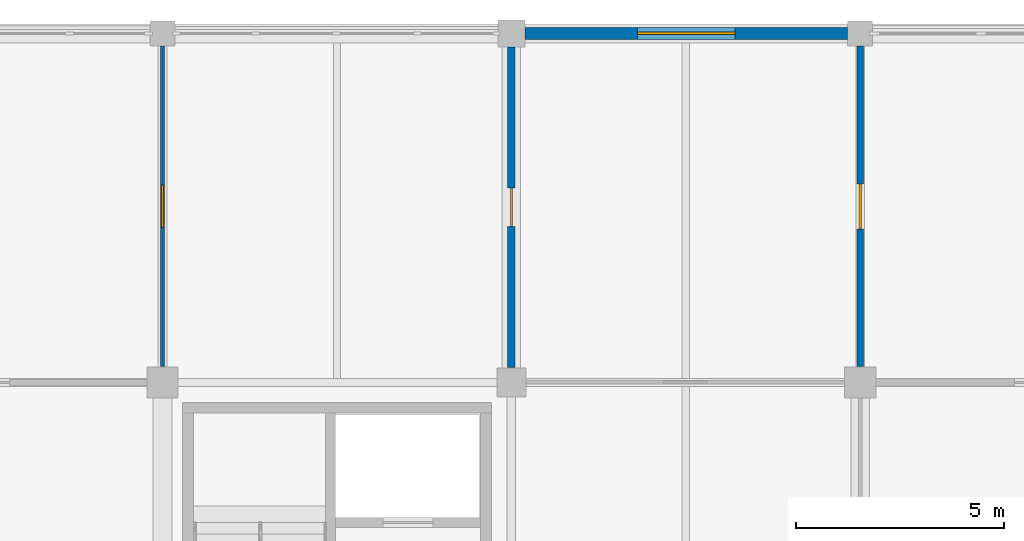
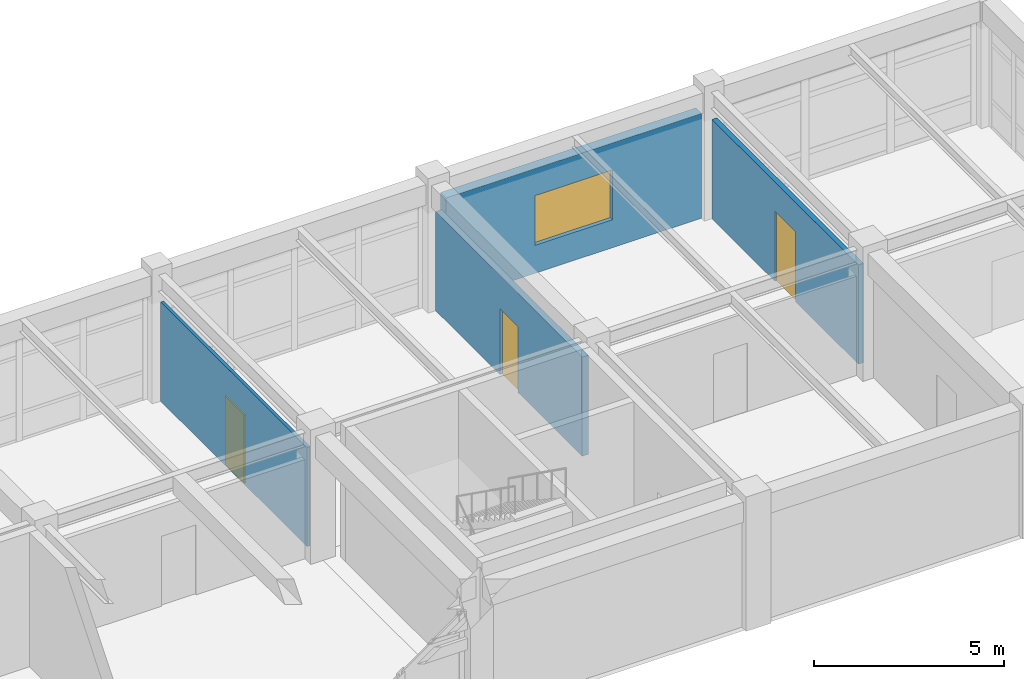
# One storey, part 36 of 40: 4 walls, 3 doors, 1 window, 4 openings.
"""IFC4 building model written with IfcOpenShell, lengths in metres."""

from ifc_helpers import new_model, si_unit, direction, frame, frame_2d, origin, place, context, subcontext, project, spatial, rectangle, extrude, material, layer, layer_set, type_object, element, fill, save


model = new_model("IFC4")

# Units and contexts
model_context = context("Model", 3, precision=1e-05, world=origin(), true_north=direction((0.0, 1.0)))
body_context = subcontext(model_context, "Body", "Model", "MODEL_VIEW")
ifc_project = project(units=[si_unit("LENGTHUNIT", "METRE"), si_unit("AREAUNIT", "SQUARE_METRE"), si_unit("VOLUMEUNIT", "CUBIC_METRE"), si_unit("PLANEANGLEUNIT", "RADIAN"), si_unit("MASSUNIT", "GRAM", prefix="KILO")], contexts=[model_context])

# Site, building, storey
site_placement = place(None, origin())
site = spatial("IfcSite", under=ifc_project, at=site_placement, CompositionType="ELEMENT")
building_placement = place(site_placement, origin())
building = spatial("IfcBuilding", under=site, at=building_placement, Name="Porcellanite Civic Hall", CompositionType="ELEMENT")
storey_placement = place(building_placement, frame((0.0, 0.0, 19.080078125)))
storey = spatial("IfcBuildingStorey", under=building, at=storey_placement, Name="L04", CompositionType="ELEMENT", Elevation=19.080078125)

# Wall, opening, window
ifc_material_1 = material(Name="Precast concrete N40 (40 MPa)", Category="concrete")
ifc_layer_1 = layer(ifc_material_1, 0.300048828125)
ifc_layer_set_1 = layer_set([ifc_layer_1], Name="Precast concrete N40 (40 MPa)")
wall_type_1 = type_object("IfcWallType", Name="EW-ADM300", PredefinedType="SOLIDWALL", material=ifc_layer_set_1)
wall_1_placement = place(storey_placement, frame((117.926025390625, 117.60009765625, 0.0), z_axis=(0.0, 0.0, 1.0), x_axis=(1.0, 0.0, 0.0)))
wall_1 = element("IfcWall", 1, at=wall_1_placement, inside=storey, type_object=wall_type_1, Name="Exterior wall L04 N 15-14", PredefinedType="SOLIDWALL", context=body_context, shape_type="SweptSolid", body=[
    extrude(rectangle(XDim=7.77294921875, YDim=0.300048828125, at=frame_2d((3.886474609375, 0.0))), origin(), (0.0, 0.0, 1.0), 3.369873046875),
])
opening_1_placement = place(wall_1_placement, frame((2.7119140625, 0.0, 0.89990234375)))
opening_1 = element("IfcOpeningElement", 2, at=opening_1_placement, cuts=wall_1, Name="Opening W36", PredefinedType="OPENING", context=body_context, shape_type="SweptSolid", body=[
    extrude(rectangle(XDim=2.35009765625, YDim=1.60009765625, at=frame_2d((1.175048828125, 0.800048828125))), frame((0.0, 0.14990234375, 0.0), z_axis=(0.0, -1.0, 0.0), x_axis=(1.0, 0.0, 0.0)), (0.0, 0.0, 1.0), 0.300048828125),
])
ifc_material_2 = material(Name="Cyclone laminated low-E glazing in anodised aluminium frame", Category="aluminium")
window_type = type_object("IfcWindowType", Name="WN-36", PartitioningType="DOUBLE_PANEL_VERTICAL", PredefinedType="WINDOW", material=ifc_material_2)
window_placement = place(opening_1_placement, origin())
window = element("IfcWindow", 3, at=window_placement, inside=storey, type_object=window_type, Name="Window W36 L04 N 15-14", OverallHeight=1.60009765625, OverallWidth=2.35009765625, PartitioningType="SINGLE_PANEL", PredefinedType="WINDOW", context=body_context, shape_type="SweptSolid", body=[
    extrude(rectangle(XDim=2.35009765625, YDim=1.60009765625, at=frame_2d((1.175048828125, 0.800048828125))), frame((0.0, 0.030029296875, 0.0), z_axis=(0.0, -1.0, 0.0), x_axis=(1.0, 0.0, 0.0)), (0.0, 0.0, 1.0), 0.06005859375),
])
fill(opening_1, window)

# Wall, opening, door
ifc_material_3 = material(Name="Insulated acoustic plasterboard on light-gauge steel studs", Category="steel")
ifc_layer_2 = layer(ifc_material_3, 0.094970703125)
ifc_layer_set_2 = layer_set([ifc_layer_2], Name="Insulated acoustic plasterboard on light-gauge steel studs")
wall_type_2 = type_object("IfcWallType", Name="IW-PT095", PredefinedType="PARTITIONING", material=ifc_layer_set_2)
wall_2_placement = place(storey_placement, frame((109.199951171875, 109.576904296875, 0.0), z_axis=(0.0, 0.0, 1.0), x_axis=(0.0, 1.0, 0.0)))
wall_2 = element("IfcWall", 4, at=wall_2_placement, inside=storey, type_object=wall_type_2, Name="Partition L04 V 13-14", PredefinedType="PARTITIONING", context=body_context, shape_type="SweptSolid", body=[
    extrude(rectangle(XDim=7.72119140625, YDim=0.094970703125, at=frame_2d((3.860595703125, 0.0))), origin(), (0.0, 0.0, 1.0), 3.18994140625),
])
opening_2_placement = place(wall_2_placement, frame((3.35107421875, 0.0, 0.0)))
opening_2 = element("IfcOpeningElement", 5, at=opening_2_placement, cuts=wall_2, Name="Opening D-L04-484", PredefinedType="OPENING", context=body_context, shape_type="SweptSolid", body=[
    extrude(rectangle(XDim=1.02001953125, YDim=2.199951171875, at=frame_2d((0.510009765625, 1.10009765625))), frame((0.0, 0.04736328125, 0.0), z_axis=(0.0, -1.0, 0.0), x_axis=(1.0, 0.0, 0.0)), (0.0, 0.0, 1.0), 0.094970703125),
])
ifc_material_4 = material(Name="Solid-core spotted-gum timber", Category="wood")
door_type_1 = type_object("IfcDoorType", Name="DR-RM102", OperationType="NOTDEFINED", PredefinedType="DOOR", material=ifc_material_4)
door_1_placement = place(opening_2_placement, origin())
door_1 = element("IfcDoor", 6, at=door_1_placement, inside=storey, type_object=door_type_1, Name="Interior door D-L04-484", OperationType="SINGLE_SWING_RIGHT", OverallHeight=2.199951171875, OverallWidth=1.02001953125, PredefinedType="DOOR", context=body_context, shape_type="SweptSolid", body=[
    extrude(rectangle(XDim=1.02001953125, YDim=2.199951171875, at=frame_2d((0.510009765625, 1.10009765625))), frame((0.0, 0.02490234375, 0.0), z_axis=(0.0, -1.0, 0.0), x_axis=(1.0, 0.0, 0.0)), (0.0, 0.0, 1.0), 0.050048828125),
])
fill(opening_2, door_1)

ifc_material_5 = material(Name="Insulated acoustic plasterboard on light-gauge steel studs", Category="steel")
ifc_layer_3 = layer(ifc_material_5, 0.155029296875)
ifc_layer_set_3 = layer_set([ifc_layer_3], Name="Insulated acoustic plasterboard on light-gauge steel studs")
wall_type_3 = type_object("IfcWallType", Name="IW-PT155", PredefinedType="PARTITIONING", material=ifc_layer_set_3)
wall_3_placement = place(storey_placement, frame((126.0, 109.576904296875, 0.0), z_axis=(0.0, 0.0, 1.0), x_axis=(0.0, 1.0, 0.0)))
wall_3 = element("IfcWall", 7, at=wall_3_placement, inside=storey, type_object=wall_type_3, Name="Partition L04 V 15-14", PredefinedType="PARTITIONING", context=body_context, shape_type="SweptSolid", body=[
    extrude(rectangle(XDim=7.72119140625, YDim=0.155029296875, at=frame_2d((3.860595703125, 0.0))), origin(), (0.0, 0.0, 1.0), 3.18994140625),
])
opening_3_placement = place(wall_3_placement, frame((3.321044921875, 0.0, 0.0)))
opening_3 = element("IfcOpeningElement", 8, at=opening_3_placement, cuts=wall_3, Name="Opening D-L04-494", PredefinedType="OPENING", context=body_context, shape_type="SweptSolid", body=[
    extrude(rectangle(XDim=1.080078125, YDim=2.25, at=frame_2d((0.5400390625, 1.125))), frame((0.0, 0.07763671875, 0.0), z_axis=(0.0, -1.0, 0.0), x_axis=(1.0, 0.0, 0.0)), (0.0, 0.0, 1.0), 0.155029296875),
])
ifc_material_6 = material(Name="Solid-core spotted-gum timber", Category="wood")
door_type_2 = type_object("IfcDoorType", Name="DR-RM108", OperationType="NOTDEFINED", PredefinedType="DOOR", material=ifc_material_6)
door_2_placement = place(opening_3_placement, origin())
door_2 = element("IfcDoor", 9, at=door_2_placement, inside=storey, type_object=door_type_2, Name="Interior door D-L04-494", OperationType="SINGLE_SWING_RIGHT", OverallHeight=2.25, OverallWidth=1.080078125, PredefinedType="DOOR", context=body_context, shape_type="SweptSolid", body=[
    extrude(rectangle(XDim=1.080078125, YDim=2.25, at=frame_2d((0.5400390625, 1.125))), frame((0.0, 0.02490234375, 0.0), z_axis=(0.0, -1.0, 0.0), x_axis=(1.0, 0.0, 0.0)), (0.0, 0.0, 1.0), 0.050048828125),
])
fill(opening_3, door_2)

ifc_material_7 = material(Name="Insulated acoustic plasterboard on light-gauge steel studs", Category="steel")
ifc_layer_4 = layer(ifc_material_7, 0.18505859375)
ifc_layer_set_4 = layer_set([ifc_layer_4], Name="Insulated acoustic plasterboard on light-gauge steel studs")
wall_type_4 = type_object("IfcWallType", Name="IW-PT185", PredefinedType="PARTITIONING", material=ifc_layer_set_4)
wall_4_placement = place(storey_placement, frame((117.60009765625, 109.552001953125, 0.0), z_axis=(0.0, 0.0, 1.0), x_axis=(0.0, 1.0, 0.0)))
wall_4 = element("IfcWall", 10, at=wall_4_placement, inside=storey, type_object=wall_type_4, Name="Partition L04 V 14-14", PredefinedType="PARTITIONING", context=body_context, shape_type="SweptSolid", body=[
    extrude(rectangle(XDim=7.720947265625, YDim=0.18505859375, at=frame_2d((3.8603515625, 0.0))), origin(), (0.0, 0.0, 1.0), 3.18994140625),
])
opening_4_placement = place(wall_4_placement, frame((3.39599609375, 0.0, 0.0)))
opening_4 = element("IfcOpeningElement", 11, at=opening_4_placement, cuts=wall_4, Name="Opening D-L04-493", PredefinedType="OPENING", context=body_context, shape_type="SweptSolid", body=[
    extrude(rectangle(XDim=0.929931640625, YDim=2.1201171875, at=frame_2d((0.46484375, 1.06005859375))), frame((0.0, 0.092529296875, 0.0), z_axis=(0.0, -1.0, 0.0), x_axis=(1.0, 0.0, 0.0)), (0.0, 0.0, 1.0), 0.18505859375),
])
ifc_material_8 = material(Name="Solid-core spotted-gum timber", Category="wood")
door_type_3 = type_object("IfcDoorType", Name="DR-RM093", OperationType="NOTDEFINED", PredefinedType="DOOR", material=ifc_material_8)
door_3_placement = place(opening_4_placement, origin())
door_3 = element("IfcDoor", 12, at=door_3_placement, inside=storey, type_object=door_type_3, Name="Interior door D-L04-493", OperationType="SINGLE_SWING_LEFT", OverallHeight=2.1201171875, OverallWidth=0.929931640625, PredefinedType="DOOR", context=body_context, shape_type="SweptSolid", body=[
    extrude(rectangle(XDim=0.929931640625, YDim=2.1201171875, at=frame_2d((0.46484375, 1.06005859375))), frame((0.0, 0.02490234375, 0.0), z_axis=(0.0, -1.0, 0.0), x_axis=(1.0, 0.0, 0.0)), (0.0, 0.0, 1.0), 0.050048828125),
])
fill(opening_4, door_3)

save(model, "model.ifc")
